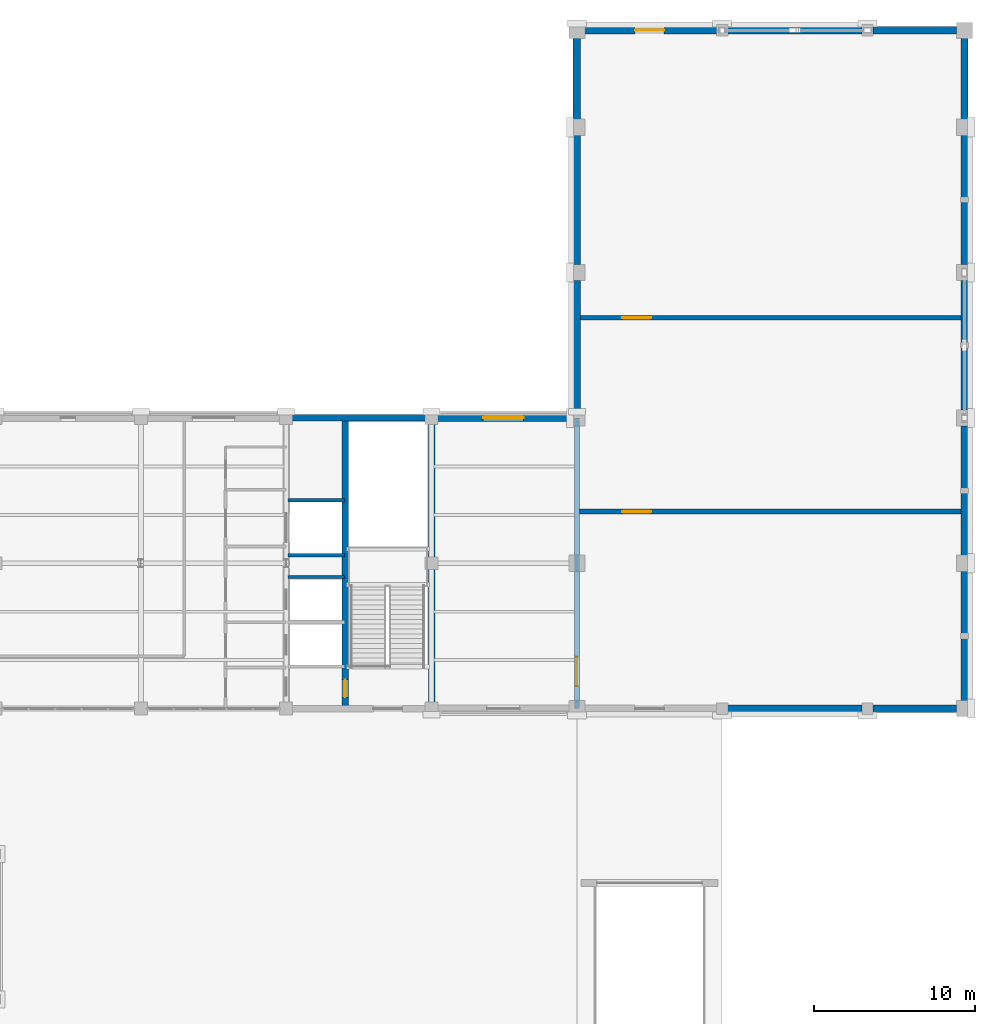
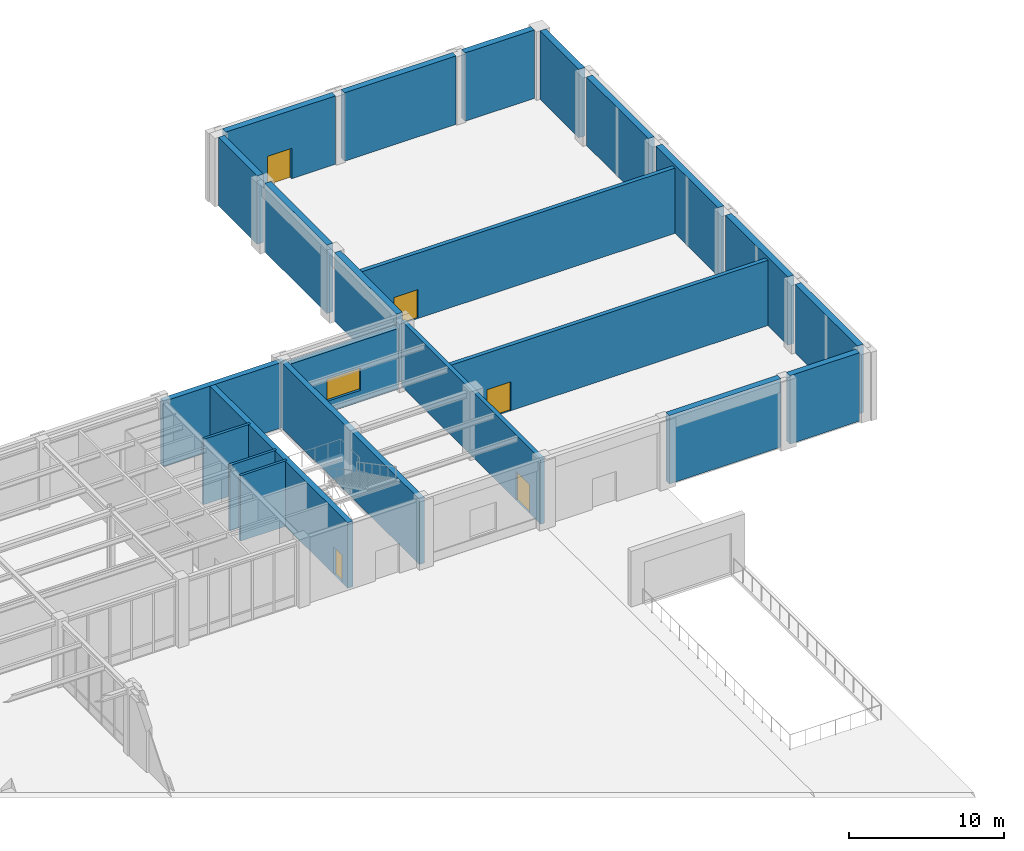
# One storey, part 70 of 77: 23 walls, 5 doors, 1 window, 6 openings.
"""IFC4 building model written with IfcOpenShell, lengths in metres."""

from ifc_helpers import new_model, si_unit, direction, frame, frame_2d, origin, place, context, subcontext, project, spatial, rectangle, extrude, material, layer, layer_set, type_object, element, fill, save


model = new_model("IFC4")

# Units and contexts
model_context = context("Model", 3, precision=1e-05, world=origin(), true_north=direction((0.0, 1.0)))
body_context = subcontext(model_context, "Body", "Model", "MODEL_VIEW")
ifc_project = project(units=[si_unit("LENGTHUNIT", "METRE"), si_unit("AREAUNIT", "SQUARE_METRE"), si_unit("VOLUMEUNIT", "CUBIC_METRE"), si_unit("PLANEANGLEUNIT", "RADIAN"), si_unit("MASSUNIT", "GRAM", prefix="KILO")], contexts=[model_context])

# Site, building, storey
site_placement = place(None, origin())
site = spatial("IfcSite", under=ifc_project, at=site_placement, CompositionType="ELEMENT")
building_placement = place(site_placement, origin())
building = spatial("IfcBuilding", under=site, at=building_placement, Name="Lykobir Media Centre", CompositionType="ELEMENT")
storey_placement = place(building_placement, origin())
storey = spatial("IfcBuildingStorey", under=building, at=storey_placement, Name="L00", CompositionType="ELEMENT", Elevation=0.0)

# Walls
ifc_material_1 = material(Name="Concrete C35/45", Category="concrete")
ifc_layer_1 = layer(ifc_material_1, 0.4599609375, Name="Concrete C35/45")
ifc_layer_set_1 = layer_set([ifc_layer_1], Name="Concrete C35/45")
wall_type_1 = type_object("IfcWallType", Name="EW-ACO-460", PredefinedType="STANDARD", material=ifc_layer_set_1)
wall_1_placement = place(storey_placement, frame((153.3349609375, 72.0, 0.0), z_axis=(0.0, 0.0, 1.0), x_axis=(1.0, 0.0, 0.0)))
element("IfcWall", 1, at=wall_1_placement, inside=storey, type_object=wall_type_1, Name="Exterior wall WALL-L00-0059", PredefinedType="STANDARD", context=body_context, shape_type="SweptSolid", body=[
    extrude(rectangle(XDim=8.330078125, YDim=0.4599609375, at=frame_2d((4.1650390625, 0.0))), origin(), (0.0, 0.0, 1.0), 5.39990234375),
])
wall_2_placement = place(storey_placement, frame((162.3349609375, 72.0, 0.0), z_axis=(0.0, 0.0, 1.0), x_axis=(1.0, 0.0, 0.0)))
element("IfcWall", 2, at=wall_2_placement, inside=storey, type_object=wall_type_1, Name="Exterior wall WALL-L00-0060", PredefinedType="STANDARD", context=body_context, shape_type="SweptSolid", body=[
    extrude(rectangle(XDim=5.179931640625, YDim=0.4599609375, at=frame_2d((2.58984375, 0.0))), origin(), (0.0, 0.0, 1.0), 5.39990234375),
])
for number, where, z_axis, x_axis, name in (
    (3, (168.0, 72.485107421875, 0.0), (0.0, 0.0, 1.0), (0.0, 1.0, 0.0), "Exterior wall WALL-L00-0061"),
    (4, (168.0, 81.485107421875, 0.0), (0.0, 0.0, 1.0), (0.0, 1.0, 0.0), "Exterior wall WALL-L00-0062"),
    (5, (168.0, 90.485107421875, 0.0), (0.0, 0.0, 1.0), (0.0, 1.0, 0.0), "Exterior wall WALL-L00-0063"),
    (6, (168.0, 99.485107421875, 0.0), (0.0, 0.0, 1.0), (0.0, 1.0, 0.0), "Exterior wall WALL-L00-0064"),
):
    element("IfcWall", number, at=place(storey_placement, frame(where, z_axis=z_axis, x_axis=x_axis)), inside=storey, type_object=wall_type_1, Name=name, PredefinedType="STANDARD", context=body_context, shape_type="SweptSolid", body=[
        extrude(rectangle(XDim=8.02978515625, YDim=0.4599609375, at=frame_2d((4.014892578125, 0.0))), origin(), (0.0, 0.0, 1.0), 5.39990234375),
    ])
wall_3_placement = place(storey_placement, frame((168.0, 108.485107421875, 0.0), z_axis=(0.0, 0.0, 1.0), x_axis=(0.0, 1.0, 0.0)))
element("IfcWall", 7, at=wall_3_placement, inside=storey, type_object=wall_type_1, Name="Exterior wall WALL-L00-0065", PredefinedType="STANDARD", context=body_context, shape_type="SweptSolid", body=[
    extrude(rectangle(XDim=5.02978515625, YDim=0.4599609375, at=frame_2d((2.514892578125, 0.0))), origin(), (0.0, 0.0, 1.0), 5.39990234375),
])

# Wall, opening, door
wall_4_placement = place(storey_placement, frame((152.6650390625, 114.0, 0.0), z_axis=(0.0, 0.0, 1.0), x_axis=(-1.0, 0.0, 0.0)))
wall_4 = element("IfcWall", 8, at=wall_4_placement, inside=storey, type_object=wall_type_1, Name="Exterior wall WALL-L00-0066", PredefinedType="STANDARD", context=body_context, shape_type="SweptSolid", body=[
    extrude(rectangle(XDim=8.179931640625, YDim=0.4599609375, at=frame_2d((4.08984375, 0.0))), origin(), (0.0, 0.0, 1.0), 5.39990234375),
])
opening_1_placement = place(wall_4_placement, frame((3.264892578125, 0.0, 0.0)))
opening_1 = element("IfcOpeningElement", 9, at=opening_1_placement, cuts=wall_4, Name="Opening D-L00-TVE2", PredefinedType="OPENING", context=body_context, shape_type="SweptSolid", body=[
    extrude(rectangle(XDim=1.800048828125, YDim=2.39990234375, at=frame_2d((0.89990234375, 1.199951171875))), frame((0.0, 0.239990234375, 0.0), z_axis=(0.0, -1.0, 0.0), x_axis=(1.0, 0.0, 0.0)), (0.0, 0.0, 1.0), 0.47998046875),
])
ifc_material_2 = material(Name="Anodized Aluminium AW-6060", Category="aluminium")
door_type_1 = type_object("IfcDoorType", Name="ED-1800x2400", OperationType="NOTDEFINED", PredefinedType="DOOR", material=ifc_material_2)
door_1_placement = place(opening_1_placement, frame((1.800048828125, 0.0, 0.0), z_axis=(0.0, 0.0, 1.0), x_axis=(-1.0, 0.0, 0.0)))
door_1 = element("IfcDoor", 10, at=door_1_placement, inside=storey, type_object=door_type_1, Name="Broadcast Studio C north exit door", OperationType="DOUBLE_DOOR_SINGLE_SWING", OverallHeight=2.39990234375, OverallWidth=1.800048828125, PredefinedType="DOOR", context=body_context, shape_type="SweptSolid", body=[
    extrude(rectangle(XDim=1.800048828125, YDim=2.39990234375, at=frame_2d((0.89990234375, 1.199951171875))), frame((0.0, 0.02490234375, 0.0), z_axis=(0.0, -1.0, 0.0), x_axis=(1.0, 0.0, 0.0)), (0.0, 0.0, 1.0), 0.050048828125),
])
fill(opening_1, door_1)

# Walls
wall_5_placement = place(storey_placement, frame((161.6650390625, 114.0, 0.0), z_axis=(0.0, 0.0, 1.0), x_axis=(-1.0, 0.0, 0.0)))
element("IfcWall", 11, at=wall_5_placement, inside=storey, type_object=wall_type_1, Name="Exterior wall WALL-L00-0067", PredefinedType="STANDARD", context=body_context, shape_type="SweptSolid", body=[
    extrude(rectangle(XDim=8.330078125, YDim=0.4599609375, at=frame_2d((4.1650390625, 0.0))), origin(), (0.0, 0.0, 1.0), 5.39990234375),
])
wall_6_placement = place(storey_placement, frame((167.514892578125, 114.0, 0.0), z_axis=(0.0, 0.0, 1.0), x_axis=(-1.0, 0.0, 0.0)))
element("IfcWall", 12, at=wall_6_placement, inside=storey, type_object=wall_type_1, Name="Exterior wall WALL-L00-0068", PredefinedType="STANDARD", context=body_context, shape_type="SweptSolid", body=[
    extrude(rectangle(XDim=5.179931640625, YDim=0.4599609375, at=frame_2d((2.58984375, 0.0))), origin(), (0.0, 0.0, 1.0), 5.39990234375),
])
for number, where, z_axis, x_axis, name in (
    (13, (144.0, 98.514892578125, 0.0), (0.0, 0.0, 1.0), (0.0, -1.0, 0.0), "Exterior wall WALL-L00-0069"),
    (14, (144.0, 107.514892578125, 0.0), (0.0, 0.0, 1.0), (0.0, -1.0, 0.0), "Exterior wall WALL-L00-0070"),
):
    element("IfcWall", number, at=place(storey_placement, frame(where, z_axis=z_axis, x_axis=x_axis)), inside=storey, type_object=wall_type_1, Name=name, PredefinedType="STANDARD", context=body_context, shape_type="SweptSolid", body=[
        extrude(rectangle(XDim=8.02978515625, YDim=0.4599609375, at=frame_2d((4.014892578125, 0.0))), origin(), (0.0, 0.0, 1.0), 5.39990234375),
    ])
wall_7_placement = place(storey_placement, frame((144.0, 113.514892578125, 0.0), z_axis=(0.0, 0.0, 1.0), x_axis=(0.0, -1.0, 0.0)))
element("IfcWall", 15, at=wall_7_placement, inside=storey, type_object=wall_type_1, Name="Exterior wall WALL-L00-0071", PredefinedType="STANDARD", context=body_context, shape_type="SweptSolid", body=[
    extrude(rectangle(XDim=5.02978515625, YDim=0.4599609375, at=frame_2d((2.514892578125, 0.0))), origin(), (0.0, 0.0, 1.0), 5.39990234375),
])

# Wall, opening, window
ifc_material_3 = material(Name="Honed Travertine Stone", Category="masonry")
ifc_layer_2 = layer(ifc_material_3, 0.419921875, Name="Honed Travertine Stone")
ifc_layer_set_2 = layer_set([ifc_layer_2], Name="Honed Travertine Stone")
wall_type_2 = type_object("IfcWallType", Name="EW-TRAV-420", PredefinedType="STANDARD", material=ifc_layer_set_2)
wall_8_placement = place(storey_placement, frame((143.514892578125, 90.0, 0.0), z_axis=(0.0, 0.0, 1.0), x_axis=(-1.0, 0.0, 0.0)))
wall_8 = element("IfcWall", 16, at=wall_8_placement, inside=storey, type_object=wall_type_2, Name="Exterior wall WALL-L00-0075", PredefinedType="STANDARD", context=body_context, shape_type="SweptSolid", body=[
    extrude(rectangle(XDim=8.1298828125, YDim=0.419921875, at=frame_2d((4.06494140625, 0.0))), origin(), (0.0, 0.0, 1.0), 4.794921875),
])
opening_2_placement = place(wall_8_placement, frame((2.81494140625, 0.0, 0.89990234375)))
opening_2 = element("IfcOpeningElement", 17, at=opening_2_placement, cuts=wall_8, Name="Opening WN-2500x1750", PredefinedType="OPENING", context=body_context, shape_type="SweptSolid", body=[
    extrude(rectangle(XDim=2.5, YDim=1.75, at=frame_2d((1.25, 0.875))), frame((0.0, 0.219970703125, 0.0), z_axis=(0.0, -1.0, 0.0), x_axis=(1.0, 0.0, 0.0)), (0.0, 0.0, 1.0), 0.43994140625),
])
ifc_material_4 = material(Name="Low-E Laminated Triple Glazing", Category="glass")
window_type = type_object("IfcWindowType", Name="WN-2500x1750", PartitioningType="SINGLE_PANEL", PredefinedType="WINDOW", material=ifc_material_4)
window_placement = place(opening_2_placement, origin())
window = element("IfcWindow", 18, at=window_placement, inside=storey, type_object=window_type, Name="Window WIN-L00-0004", OverallHeight=1.75, OverallWidth=2.5, PartitioningType="SINGLE_PANEL", PredefinedType="WINDOW", context=body_context, shape_type="SweptSolid", body=[
    extrude(rectangle(XDim=2.5, YDim=1.75, at=frame_2d((1.25, 0.875))), frame((0.0, 0.030029296875, 0.0), z_axis=(0.0, -1.0, 0.0), x_axis=(1.0, 0.0, 0.0)), (0.0, 0.0, 1.0), 0.06005859375),
])
fill(opening_2, window)

# Walls
ifc_material_5 = material(Name="Concrete C30/37", Category="concrete")
ifc_layer_3 = layer(ifc_material_5, 0.199951171875, Name="Concrete C30/37")
ifc_layer_set_3 = layer_set([ifc_layer_3], Name="Concrete C30/37")
wall_type_3 = type_object("IfcWallType", Name="IW-SHAFT-200", PredefinedType="PARTITIONING", material=ifc_layer_set_3)
for number, where, z_axis, x_axis, name in (
    (19, (126.10009765625, 80.14990234375, 0.0), (0.0, 0.0, 1.0), (1.0, 0.0, 0.0), "Wall IWALL-L00-0479"),
    (20, (126.10009765625, 81.5, 0.0), (0.0, 0.0, 1.0), (1.0, 0.0, 0.0), "Wall IWALL-L00-0480"),
    (21, (126.10009765625, 84.89990234375, 0.0), (0.0, 0.0, 1.0), (1.0, 0.0, 0.0), "Wall IWALL-L00-0481"),
):
    element("IfcWall", number, at=place(storey_placement, frame(where, z_axis=z_axis, x_axis=x_axis)), inside=storey, type_object=wall_type_3, Name=name, PredefinedType="PARTITIONING", context=body_context, shape_type="SweptSolid", body=[
        extrude(rectangle(XDim=3.5, YDim=0.199951171875, at=frame_2d((1.75, 0.0))), origin(), (0.0, 0.0, 1.0), 5.159912109375),
    ])

# Wall, opening, door
ifc_material_6 = material(Name="Concrete C40/50", Category="concrete")
ifc_layer_4 = layer(ifc_material_6, 0.300048828125, Name="Concrete C40/50")
ifc_layer_set_4 = layer_set([ifc_layer_4], Name="Concrete C40/50")
wall_type_4 = type_object("IfcWallType", Name="SW-COMP-300", PredefinedType="SHEAR", material=ifc_layer_set_4)
wall_9_placement = place(storey_placement, frame((144.0, 72.0, 0.0), z_axis=(0.0, 0.0, 1.0), x_axis=(0.0, 1.0, 0.0)))
wall_9 = element("IfcWall", 22, at=wall_9_placement, inside=storey, type_object=wall_type_4, Name="Wall IWALL-L00-0674", PredefinedType="SHEAR", context=body_context, shape_type="SweptSolid", body=[
    extrude(rectangle(XDim=18.0, YDim=0.300048828125, at=frame_2d((9.0, 0.0))), origin(), (0.0, 0.0, 1.0), 5.159912109375),
])
opening_3_placement = place(wall_9_placement, frame((1.39990234375, 0.0, 0.0)))
opening_3 = element("IfcOpeningElement", 23, at=opening_3_placement, cuts=wall_9, Name="Opening D-L00-TVA", PredefinedType="OPENING", context=body_context, shape_type="SweptSolid", body=[
    extrude(rectangle(XDim=1.800048828125, YDim=2.280029296875, at=frame_2d((0.89990234375, 1.14013671875))), frame((0.0, 0.159912109375, 0.0), z_axis=(0.0, -1.0, 0.0), x_axis=(1.0, 0.0, 0.0)), (0.0, 0.0, 1.0), 0.320068359375),
])
ifc_material_7 = material(Name="Acoustic Timber Panelling", Category="wood")
door_type_2 = type_object("IfcDoorType", Name="FD-1800x2280", OperationType="NOTDEFINED", PredefinedType="DOOR", material=ifc_material_7)
door_2_placement = place(opening_3_placement, origin())
door_2 = element("IfcDoor", 24, at=door_2_placement, inside=storey, type_object=door_type_2, Name="Door D-L00-TVA", OperationType="DOUBLE_DOOR_SINGLE_SWING", OverallHeight=2.280029296875, OverallWidth=1.800048828125, PredefinedType="DOOR", context=body_context, shape_type="SweptSolid", body=[
    extrude(rectangle(XDim=1.800048828125, YDim=2.280029296875, at=frame_2d((0.89990234375, 1.14013671875))), frame((0.0, 0.02490234375, 0.0), z_axis=(0.0, -1.0, 0.0), x_axis=(1.0, 0.0, 0.0)), (0.0, 0.0, 1.0), 0.050048828125),
])
fill(opening_3, door_2)

wall_10_placement = place(storey_placement, frame((144.0, 84.199951171875, 0.0), z_axis=(0.0, 0.0, 1.0), x_axis=(1.0, 0.0, 0.0)))
wall_10 = element("IfcWall", 25, at=wall_10_placement, inside=storey, type_object=wall_type_4, Name="Wall IWALL-L00-0675", PredefinedType="SHEAR", context=body_context, shape_type="SweptSolid", body=[
    extrude(rectangle(XDim=24.0, YDim=0.300048828125, at=frame_2d((12.0, 0.0))), origin(), (0.0, 0.0, 1.0), 5.159912109375),
])
opening_4_placement = place(wall_10_placement, frame((2.800048828125, 0.0, 0.0)))
opening_4 = element("IfcOpeningElement", 26, at=opening_4_placement, cuts=wall_10, Name="Opening D-L00-TVAB", PredefinedType="OPENING", context=body_context, shape_type="SweptSolid", body=[
    extrude(rectangle(XDim=1.800048828125, YDim=2.280029296875, at=frame_2d((0.89990234375, 1.14013671875))), frame((0.0, 0.159912109375, 0.0), z_axis=(0.0, -1.0, 0.0), x_axis=(1.0, 0.0, 0.0)), (0.0, 0.0, 1.0), 0.320068359375),
])
door_3_placement = place(opening_4_placement, origin())
door_3 = element("IfcDoor", 27, at=door_3_placement, inside=storey, type_object=door_type_2, Name="Door D-L00-TVAB", OperationType="DOUBLE_DOOR_SINGLE_SWING", OverallHeight=2.280029296875, OverallWidth=1.800048828125, PredefinedType="DOOR", context=body_context, shape_type="SweptSolid", body=[
    extrude(rectangle(XDim=1.800048828125, YDim=2.280029296875, at=frame_2d((0.89990234375, 1.14013671875))), frame((0.0, 0.02490234375, 0.0), z_axis=(0.0, -1.0, 0.0), x_axis=(1.0, 0.0, 0.0)), (0.0, 0.0, 1.0), 0.050048828125),
])
fill(opening_4, door_3)

wall_11_placement = place(storey_placement, frame((144.0, 96.199951171875, 0.0), z_axis=(0.0, 0.0, 1.0), x_axis=(1.0, 0.0, 0.0)))
wall_11 = element("IfcWall", 28, at=wall_11_placement, inside=storey, type_object=wall_type_4, Name="Wall IWALL-L00-0676", PredefinedType="SHEAR", context=body_context, shape_type="SweptSolid", body=[
    extrude(rectangle(XDim=24.0, YDim=0.300048828125, at=frame_2d((12.0, 0.0))), origin(), (0.0, 0.0, 1.0), 5.159912109375),
])
opening_5_placement = place(wall_11_placement, frame((2.800048828125, 0.0, 0.0)))
opening_5 = element("IfcOpeningElement", 29, at=opening_5_placement, cuts=wall_11, Name="Opening D-L00-TVBC", PredefinedType="OPENING", context=body_context, shape_type="SweptSolid", body=[
    extrude(rectangle(XDim=1.800048828125, YDim=2.280029296875, at=frame_2d((0.89990234375, 1.14013671875))), frame((0.0, 0.159912109375, 0.0), z_axis=(0.0, -1.0, 0.0), x_axis=(1.0, 0.0, 0.0)), (0.0, 0.0, 1.0), 0.320068359375),
])
door_4_placement = place(opening_5_placement, origin())
door_4 = element("IfcDoor", 30, at=door_4_placement, inside=storey, type_object=door_type_2, Name="Door D-L00-TVBC", OperationType="DOUBLE_DOOR_SINGLE_SWING", OverallHeight=2.280029296875, OverallWidth=1.800048828125, PredefinedType="DOOR", context=body_context, shape_type="SweptSolid", body=[
    extrude(rectangle(XDim=1.800048828125, YDim=2.280029296875, at=frame_2d((0.89990234375, 1.14013671875))), frame((0.0, 0.02490234375, 0.0), z_axis=(0.0, -1.0, 0.0), x_axis=(1.0, 0.0, 0.0)), (0.0, 0.0, 1.0), 0.050048828125),
])
fill(opening_5, door_4)

ifc_layer_5 = layer(ifc_material_6, 0.39990234375, Name="Concrete C40/50")
ifc_layer_set_5 = layer_set([ifc_layer_5], Name="Concrete C40/50")
wall_type_5 = type_object("IfcWallType", Name="SW-CORE-400", PredefinedType="SHEAR", material=ifc_layer_set_5)
wall_12_placement = place(storey_placement, frame((129.64990234375, 72.0, 0.0), z_axis=(0.0, 0.0, 1.0), x_axis=(0.0, 1.0, 0.0)))
wall_12 = element("IfcWall", 31, at=wall_12_placement, inside=storey, type_object=wall_type_5, Name="Wall IWALL-L00-0476", PredefinedType="SHEAR", context=body_context, shape_type="SweptSolid", body=[
    extrude(rectangle(XDim=18.0, YDim=0.39990234375, at=frame_2d((9.0, 0.0))), origin(), (0.0, 0.0, 1.0), 5.159912109375),
])
opening_6_placement = place(wall_12_placement, frame((0.699951171875, 0.0, 0.0)))
opening_6 = element("IfcOpeningElement", 32, at=opening_6_placement, cuts=wall_12, Name="Opening D-L00-C4ST", PredefinedType="OPENING", context=body_context, shape_type="SweptSolid", body=[
    extrude(rectangle(XDim=1.10009765625, YDim=2.159912109375, at=frame_2d((0.550048828125, 1.080078125))), frame((0.0, 0.2099609375, 0.0), z_axis=(0.0, -1.0, 0.0), x_axis=(1.0, 0.0, 0.0)), (0.0, 0.0, 1.0), 0.419921875),
])
door_type_3 = type_object("IfcDoorType", Name="FD-1100x2160", OperationType="NOTDEFINED", PredefinedType="DOOR", material=ifc_material_7)
door_5_placement = place(opening_6_placement, origin())
door_5 = element("IfcDoor", 33, at=door_5_placement, inside=storey, type_object=door_type_3, Name="L00 ST-4 stairwell fire door", OperationType="SINGLE_SWING_LEFT", OverallHeight=2.159912109375, OverallWidth=1.10009765625, PredefinedType="DOOR", context=body_context, shape_type="SweptSolid", body=[
    extrude(rectangle(XDim=1.10009765625, YDim=2.159912109375, at=frame_2d((0.550048828125, 1.080078125))), frame((0.0, 0.02490234375, 0.0), z_axis=(0.0, -1.0, 0.0), x_axis=(1.0, 0.0, 0.0)), (0.0, 0.0, 1.0), 0.050048828125),
])
fill(opening_6, door_5)

# Walls
ifc_layer_6 = layer(ifc_material_6, 0.39990234375, Name="Concrete C40/50")
ifc_layer_set_6 = layer_set([ifc_layer_6], Name="Concrete C40/50")
wall_type_6 = type_object("IfcWallType", Name="SW-CORE-400-E", PredefinedType="SHEAR", material=ifc_layer_set_6)
wall_13_placement = place(storey_placement, frame((135.0, 72.0, 0.0), z_axis=(0.0, 0.0, 1.0), x_axis=(0.0, 1.0, 0.0)))
element("IfcWall", 34, at=wall_13_placement, inside=storey, type_object=wall_type_6, Name="Wall IWALL-L00-0473", PredefinedType="SHEAR", context=body_context, shape_type="SweptSolid", body=[
    extrude(rectangle(XDim=18.0, YDim=0.39990234375, at=frame_2d((9.0, 0.0))), origin(), (0.0, 0.0, 1.0), 5.159912109375),
])
wall_14_placement = place(storey_placement, frame((135.0, 90.0, 0.0), z_axis=(0.0, 0.0, 1.0), x_axis=(-1.0, 0.0, 0.0)))
element("IfcWall", 35, at=wall_14_placement, inside=storey, type_object=wall_type_6, Name="Wall IWALL-L00-0474", PredefinedType="SHEAR", context=body_context, shape_type="SweptSolid", body=[
    extrude(rectangle(XDim=9.0, YDim=0.39990234375, at=frame_2d((4.5, 0.0))), origin(), (0.0, 0.0, 1.0), 5.159912109375),
])

save(model, "model.ifc")
